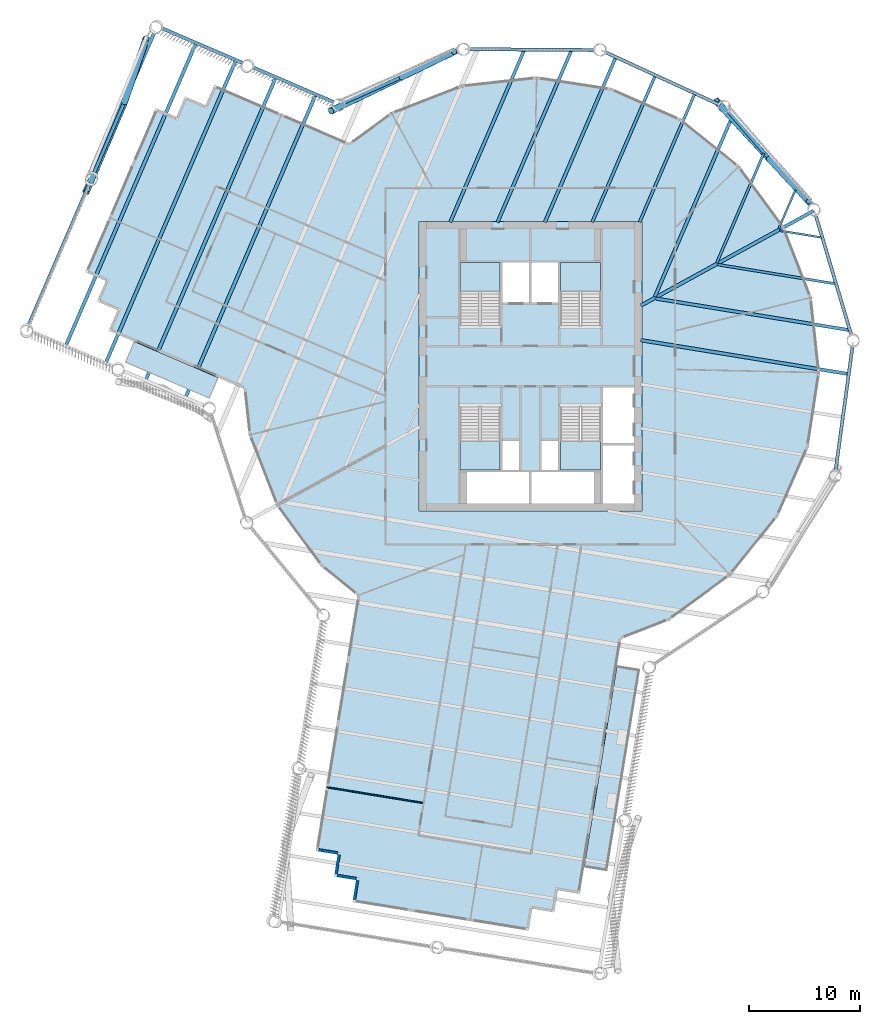
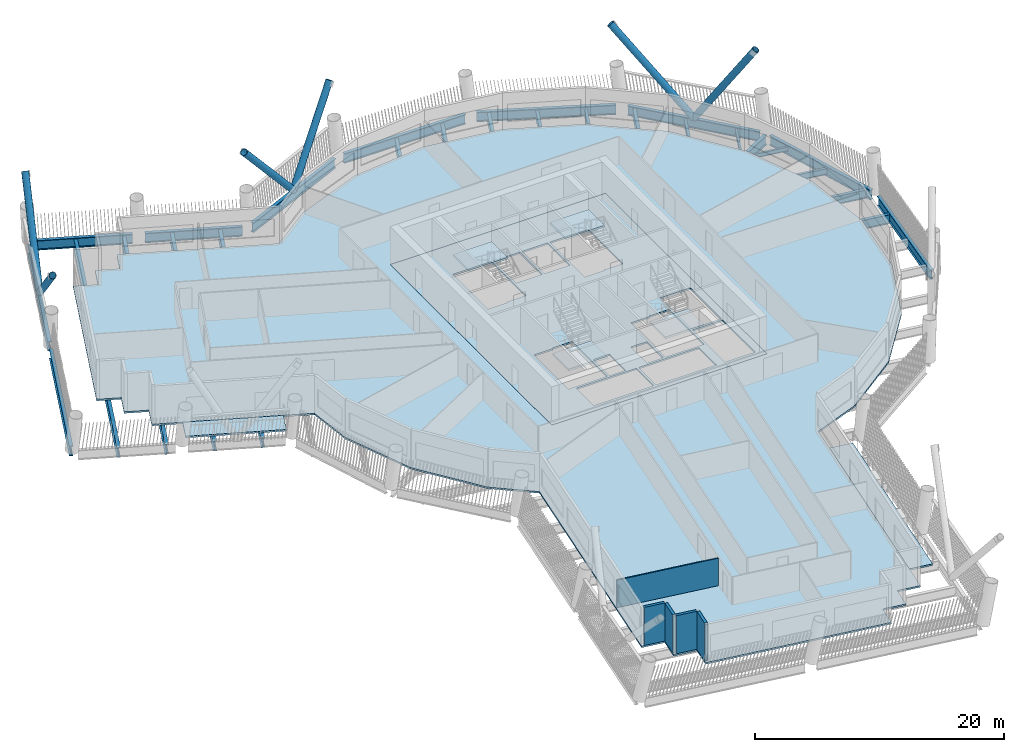
# One storey, part 2 of 22: 27 beams, 8 slabs, 6 members, 5 walls, 4 elements without a shape of their own.
"""IFC4 building model written with IfcOpenShell, lengths in metres."""

from ifc_helpers import new_model, si_unit, direction, frame, frame_2d, origin, origin_2d, place, context, subcontext, project, spatial, polyline, rectangle, hollow_circle, i_section, outline, extrude, material, layer, layer_set, material_profile, profile_set, type_object, element, aggregate, save


model = new_model("IFC4")

# Units and contexts
model_context = context("Model", 3, precision=1e-05, world=origin(), true_north=direction((0.0, 1.0)))
body_context = subcontext(model_context, "Body", "Model", "MODEL_VIEW")
ifc_project = project(units=[si_unit("LENGTHUNIT", "METRE"), si_unit("AREAUNIT", "SQUARE_METRE"), si_unit("VOLUMEUNIT", "CUBIC_METRE"), si_unit("PLANEANGLEUNIT", "RADIAN"), si_unit("MASSUNIT", "GRAM", prefix="KILO")], contexts=[model_context])

# Site, building, storey
site_placement = place(None, origin())
site = spatial("IfcSite", under=ifc_project, at=site_placement, CompositionType="ELEMENT")
building_placement = place(site_placement, origin())
building = spatial("IfcBuilding", under=site, at=building_placement, Name="Tarsis Ring Headquarters", CompositionType="ELEMENT")
storey_placement = place(building_placement, frame((0.0, 0.0, 186.60009765625)))
storey = spatial("IfcBuildingStorey", under=building, at=storey_placement, Name="L43", CompositionType="ELEMENT", Elevation=186.60009765625)

# Beams
ifc_material_1 = material(Name="Structural steel S355", Category="steel")
ifc_material_profile_1 = material_profile(ifc_material_1, i_section(OverallWidth=0.177734375, OverallDepth=0.406494140625, WebThickness=0.0078125, FlangeThickness=0.0126953125, at=origin_2d()), Name="W16x40")
ifc_profile_set_1 = profile_set([ifc_material_profile_1], Name="Structural steel S355")
beam_type_1 = type_object("IfcBeamType", Name="FB Floor beam W16x40", PredefinedType="JOIST", material=ifc_profile_set_1)
beam_1_placement = place(storey_placement, frame((22.366943359375, 12.1591796875, -0.36328125), z_axis=(0.986968671304, -0.160912528612, 0.0), x_axis=(0.160912528612, 0.986968671304, 0.0)))
element("IfcBeam", 1, at=beam_1_placement, inside=storey, type_object=beam_type_1, Name="Floor beam FB1", PredefinedType="JOIST", context=body_context, shape_type="SweptSolid", body=[
    extrude(i_section(OverallWidth=0.177734375, OverallDepth=0.406494140625, WebThickness=0.0078125, FlangeThickness=0.0126953125, at=origin_2d()), origin(), (0.0, 0.0, 1.0), 3.80517578125),
])
beam_2_placement = place(storey_placement, frame((23.77978515625, 15.819091796875, -0.36328125), z_axis=(-0.394886967502, -0.918729711557, 0.0), x_axis=(0.918729711557, -0.394886967502, 0.0)))
element("IfcBeam", 2, at=beam_2_placement, inside=storey, type_object=beam_type_1, Name="Floor beam FB1", PredefinedType="JOIST", context=body_context, shape_type="SweptSolid", body=[
    extrude(i_section(OverallWidth=0.177734375, OverallDepth=0.406494140625, WebThickness=0.0078125, FlangeThickness=0.0126953125, at=origin_2d()), origin(), (0.0, 0.0, 1.0), 3.805419921875),
])
ifc_material_profile_2 = material_profile(ifc_material_1, i_section(OverallWidth=0.228271484375, OverallDepth=0.607177734375, WebThickness=0.01123046875, FlangeThickness=0.017333984375, at=origin_2d()), Name="W24x76")
ifc_profile_set_2 = profile_set([ifc_material_profile_2], Name="Structural steel S355")
beam_type_2 = type_object("IfcBeamType", Name="FB Floor beam W24x76", PredefinedType="JOIST", material=ifc_profile_set_2)
for number, where, z_axis, x_axis, name in (
    (3, (16.8125, 9.11328125, -0.463623046875), (0.986970080516, -0.160903884871, 0.0), (0.160903884871, 0.986970080516, 0.0), "Floor beam FB4"),
    (4, (20.942138671875, 19.093505859375, -0.463623046875), (-0.394903560064, -0.91872257959, 0.0), (0.91872257959, -0.394903560064, 0.0), "Floor beam FB4"),
):
    element("IfcBeam", number, at=place(storey_placement, frame(where, z_axis=z_axis, x_axis=x_axis)), inside=storey, type_object=beam_type_2, Name=name, PredefinedType="JOIST", context=body_context, shape_type="SweptSolid", body=[
        extrude(i_section(OverallWidth=0.228271484375, OverallDepth=0.607177734375, WebThickness=0.01123046875, FlangeThickness=0.017333984375, at=origin_2d()), origin(), (0.0, 0.0, 1.0), 10.684814453125),
    ])
ifc_material_profile_3 = material_profile(ifc_material_1, i_section(OverallWidth=0.2529296875, OverallDepth=0.67822265625, WebThickness=0.01171875, FlangeThickness=0.016357421875, at=origin_2d()), Name="W27x84")
ifc_profile_set_3 = profile_set([ifc_material_profile_3], Name="Structural steel S355")
beam_type_3 = type_object("IfcBeamType", Name="FB Floor beam W27x84", PredefinedType="JOIST", material=ifc_profile_set_3)
beam_3_placement = place(storey_placement, frame((14.738525390625, 24.412841796875, -0.499267578125), z_axis=(-0.394897924831, -0.918725001817, 0.0), x_axis=(0.918725001817, -0.394897924831, 0.0)))
element("IfcBeam", 5, at=beam_3_placement, inside=storey, type_object=beam_type_3, Name="Floor beam FB5", PredefinedType="JOIST", context=body_context, shape_type="SweptSolid", body=[
    extrude(i_section(OverallWidth=0.2529296875, OverallDepth=0.67822265625, WebThickness=0.01171875, FlangeThickness=0.016357421875, at=origin_2d()), origin(), (0.0, 0.0, 1.0), 12.5224609375),
])
ifc_material_profile_4 = material_profile(ifc_material_1, i_section(OverallWidth=0.2666015625, OverallDepth=0.7568359375, WebThickness=0.013916015625, FlangeThickness=0.019287109375, at=origin_2d()), Name="W30x108")
ifc_profile_set_4 = profile_set([ifc_material_profile_4], Name="Structural steel S355")
beam_type_4 = type_object("IfcBeamType", Name="FB Floor beam W30x108", PredefinedType="JOIST", material=ifc_profile_set_4)
beam_4_placement = place(storey_placement, frame((11.195556640625, 26.0458984375, -0.53857421875), z_axis=(-0.394910173132, -0.918719737002, 0.0), x_axis=(0.918719737002, -0.394910173132, 0.0)))
element("IfcBeam", 6, at=beam_4_placement, inside=storey, type_object=beam_type_4, Name="Floor beam FB6", PredefinedType="JOIST", context=body_context, shape_type="SweptSolid", body=[
    extrude(i_section(OverallWidth=0.2666015625, OverallDepth=0.7568359375, WebThickness=0.013916015625, FlangeThickness=0.019287109375, at=origin_2d()), origin(), (0.0, 0.0, 1.0), 14.300048828125),
])
ifc_material_profile_5 = material_profile(ifc_material_1, i_section(OverallWidth=0.2919921875, OverallDepth=0.835693359375, WebThickness=0.013916015625, FlangeThickness=0.018798828125, at=origin_2d()), Name="W33x118")
ifc_profile_set_5 = profile_set([ifc_material_profile_5], Name="Structural steel S355")
beam_type_5 = type_object("IfcBeamType", Name="FB Floor beam W33x118", PredefinedType="JOIST", material=ifc_profile_set_5)
beam_5_placement = place(storey_placement, frame((11.25830078125, 6.0673828125, -0.577880859375), z_axis=(0.986969666062, -0.160906427073, 0.0), x_axis=(0.160906427073, 0.986969666062, 0.0)))
element("IfcBeam", 7, at=beam_5_placement, inside=storey, type_object=beam_type_5, Name="Floor beam FB7", PredefinedType="JOIST", context=body_context, shape_type="SweptSolid", body=[
    extrude(i_section(OverallWidth=0.2919921875, OverallDepth=0.835693359375, WebThickness=0.013916015625, FlangeThickness=0.018798828125, at=origin_2d()), origin(), (0.0, 0.0, 1.0), 17.56396484375),
])
beam_6_placement = place(storey_placement, frame((18.104736328125, 22.367919921875, -0.577880859375), z_axis=(-0.394907154867, -0.918721034392, 0.0), x_axis=(0.918721034392, -0.394907154867, 0.0)))
element("IfcBeam", 8, at=beam_6_placement, inside=storey, type_object=beam_type_5, Name="Floor beam FB7", PredefinedType="JOIST", context=body_context, shape_type="SweptSolid", body=[
    extrude(i_section(OverallWidth=0.2919921875, OverallDepth=0.835693359375, WebThickness=0.013916015625, FlangeThickness=0.018798828125, at=origin_2d()), origin(), (0.0, 0.0, 1.0), 17.564208984375),
])
beam_7_placement = place(storey_placement, frame((7.652587890625, 27.678955078125, -0.577880859375), z_axis=(-0.39490689599, -0.918721145669, 0.0), x_axis=(0.918721145669, -0.39490689599, 0.0)))
element("IfcBeam", 9, at=beam_7_placement, inside=storey, type_object=beam_type_5, Name="Floor beam FB7", PredefinedType="JOIST", context=body_context, shape_type="SweptSolid", body=[
    extrude(i_section(OverallWidth=0.2919921875, OverallDepth=0.835693359375, WebThickness=0.013916015625, FlangeThickness=0.018798828125, at=origin_2d()), origin(), (0.0, 0.0, 1.0), 16.077392578125),
])
beam_8_placement = place(storey_placement, frame((3.677734375, 28.3076171875, -0.577880859375), z_axis=(-0.394908756693, -0.918720345855, 0.0), x_axis=(0.918720345855, -0.394908756693, 0.0)))
element("IfcBeam", 10, at=beam_8_placement, inside=storey, type_object=beam_type_5, Name="Floor beam FB7", PredefinedType="JOIST", context=body_context, shape_type="SweptSolid", body=[
    extrude(i_section(OverallWidth=0.2919921875, OverallDepth=0.835693359375, WebThickness=0.013916015625, FlangeThickness=0.018798828125, at=origin_2d()), origin(), (0.0, 0.0, 1.0), 16.76171875),
])
beam_9_placement = place(storey_placement, frame((-0.554443359375, 28.33740234375, -0.577880859375), z_axis=(-0.394903342175, -0.918722673248, 0.0), x_axis=(0.918722673248, -0.394903342175, 0.0)))
element("IfcBeam", 11, at=beam_9_placement, inside=storey, type_object=beam_type_5, Name="Floor beam FB7", PredefinedType="JOIST", context=body_context, shape_type="SweptSolid", body=[
    extrude(i_section(OverallWidth=0.2919921875, OverallDepth=0.835693359375, WebThickness=0.013916015625, FlangeThickness=0.018798828125, at=origin_2d()), origin(), (0.0, 0.0, 1.0), 16.794189453125),
])
ifc_material_profile_6 = material_profile(ifc_material_1, i_section(OverallWidth=0.3046875, OverallDepth=0.904296875, WebThickness=0.01513671875, FlangeThickness=0.02001953125, at=origin_2d()), Name="W36x135")
ifc_profile_set_6 = profile_set([ifc_material_profile_6], Name="Structural steel S355")
beam_type_6 = type_object("IfcBeamType", Name="FB Floor beam W36x135", PredefinedType="JOIST", material=ifc_profile_set_6)
beam_10_placement = place(storey_placement, frame((9.9013671875, 2.337158203125, -0.6123046875), z_axis=(0.986968076882, -0.1609161745, 0.0), x_axis=(0.1609161745, 0.986968076882, 0.0)))
element("IfcBeam", 12, at=beam_10_placement, inside=storey, type_object=beam_type_6, Name="Floor beam FB8", PredefinedType="JOIST", context=body_context, shape_type="SweptSolid", body=[
    extrude(i_section(OverallWidth=0.3046875, OverallDepth=0.904296875, WebThickness=0.01513671875, FlangeThickness=0.02001953125, at=origin_2d()), origin(), (0.0, 0.0, 1.0), 18.8525390625),
])
ifc_material_profile_7 = material_profile(ifc_material_1, i_section(OverallWidth=0.309814453125, OverallDepth=0.949951171875, WebThickness=0.0244140625, FlangeThickness=0.0439453125, at=origin_2d()), Name="W36x256")
ifc_profile_set_7 = profile_set([ifc_material_profile_7], Name="Structural steel S355")
beam_type_7 = type_object("IfcBeamType", Name="FB Floor beam W36x256", PredefinedType="JOIST", material=ifc_profile_set_7)
beam_11_placement = place(storey_placement, frame((-19.25830078125, 24.327392578125, -0.635009765625), z_axis=(-0.394906244932, -0.918721425522, 0.0), x_axis=(0.918721425522, -0.394906244932, 0.0)))
element("IfcBeam", 13, at=beam_11_placement, inside=storey, type_object=beam_type_7, Name="Floor beam FB11", PredefinedType="JOIST", context=body_context, shape_type="SweptSolid", body=[
    extrude(i_section(OverallWidth=0.309814453125, OverallDepth=0.949951171875, WebThickness=0.0244140625, FlangeThickness=0.0439453125, at=origin_2d()), origin(), (0.0, 0.0, 1.0), 29.489990234375),
])
for number, where, z_axis, x_axis, name in (
    (14, (-22.84130859375, 25.86767578125, -0.635009765625), (-0.394903241337, -0.918722716592, 0.0), (0.918722716592, -0.394903241337, 0.0), "Floor beam FB11"),
    (15, (-26.42431640625, 27.40771484375, -0.635009765625), (-0.394903241337, -0.918722716592, 0.0), (0.918722716592, -0.394903241337, 0.0), "Floor beam FB11"),
):
    element("IfcBeam", number, at=place(storey_placement, frame(where, z_axis=z_axis, x_axis=x_axis)), inside=storey, type_object=beam_type_7, Name=name, PredefinedType="JOIST", context=body_context, shape_type="SweptSolid", body=[
        extrude(i_section(OverallWidth=0.309814453125, OverallDepth=0.949951171875, WebThickness=0.0244140625, FlangeThickness=0.0439453125, at=origin_2d()), origin(), (0.0, 0.0, 1.0), 29.490234375),
    ])
beam_12_placement = place(storey_placement, frame((-30.00732421875, 28.94775390625, -0.635009765625), z_axis=(-0.394906244932, -0.918721425522, 0.0), x_axis=(0.918721425522, -0.394906244932, 0.0)))
element("IfcBeam", 16, at=beam_12_placement, inside=storey, type_object=beam_type_7, Name="Floor beam FB11", PredefinedType="JOIST", context=body_context, shape_type="SweptSolid", body=[
    extrude(i_section(OverallWidth=0.309814453125, OverallDepth=0.949951171875, WebThickness=0.0244140625, FlangeThickness=0.0439453125, at=origin_2d()), origin(), (0.0, 0.0, 1.0), 29.489990234375),
])
beam_type_8 = type_object("IfcBeamType", Name="FB Floor beam W36x256 spine", PredefinedType="BEAM", material=ifc_profile_set_7)
beam_13_placement = place(storey_placement, frame((25.418701171875, 13.939453125, -0.635009765625), z_axis=(-0.876808090445, -0.480840485535, 0.0), x_axis=(0.480840485535, -0.876808090445, 0.0)))
element("IfcBeam", 17, at=beam_13_placement, inside=storey, type_object=beam_type_8, Name="Floor beam SB11", PredefinedType="BEAM", context=body_context, shape_type="SweptSolid", body=[
    extrude(i_section(OverallWidth=0.309814453125, OverallDepth=0.949951171875, WebThickness=0.0244140625, FlangeThickness=0.0439453125, at=origin_2d()), origin(), (0.0, 0.0, 1.0), 17.68505859375),
])

# Members
ifc_material_profile_8 = material_profile(ifc_material_1, hollow_circle(Radius=0.3046875, WallThickness=0.02490234375, at=origin_2d()), Name="CHS 610x25")
ifc_profile_set_8 = profile_set([ifc_material_profile_8], Name="Structural steel S355")
member_type = type_object("IfcMemberType", Name="XD X brace CHS 610x25", PredefinedType="BRACE", material=ifc_profile_set_8)
member_1_placement = place(storey_placement, frame((21.459228515625, 18.595947265625, 0.0), z_axis=(-0.454177229939, 0.493035699085, 0.742050431732), x_axis=(-0.735496485473, -0.677528538038, 0.0)))
element("IfcMember", 18, at=member_1_placement, inside=storey, type_object=member_type, Name="X brace XD1", PredefinedType="BRACE", context=body_context, shape_type="SweptSolid", body=[
    extrude(hollow_circle(Radius=0.3046875, WallThickness=0.02490234375, at=origin_2d()), origin(), (0.0, 0.0, 1.0), 10.51123046875),
])
member_2_placement = place(storey_placement, frame((21.459228515625, 18.595947265625, 0.0), z_axis=(0.37798861739, -0.406267457187, 0.831908263184), x_axis=(0.73212795981, 0.68116712374, 0.0)))
element("IfcMember", 19, at=member_2_placement, inside=storey, type_object=member_type, Name="X brace XD1", PredefinedType="BRACE", context=body_context, shape_type="SweptSolid", body=[
    extrude(hollow_circle(Radius=0.3046875, WallThickness=0.02490234375, at=origin_2d()), origin(), (0.0, 0.0, 1.0), 9.375732421875),
])
member_3_placement = place(storey_placement, frame((-11.521728515625, 25.952880859375, 0.0), z_axis=(-0.604152363754, -0.29045116715, 0.742049891093), x_axis=(0.43328631642, -0.90125632758, 0.0)))
element("IfcMember", 20, at=member_3_placement, inside=storey, type_object=member_type, Name="X brace XD1", PredefinedType="BRACE", context=body_context, shape_type="SweptSolid", body=[
    extrude(hollow_circle(Radius=0.3046875, WallThickness=0.02490234375, at=origin_2d()), origin(), (0.0, 0.0, 1.0), 10.51123046875),
])
member_4_placement = place(storey_placement, frame((-11.521728515625, 25.952880859375, 0.0), z_axis=(0.498912793243, 0.242946574163, 0.831903231657), x_axis=(-0.43780410855, 0.899070387977, 0.0)))
element("IfcMember", 21, at=member_4_placement, inside=storey, type_object=member_type, Name="X brace XD1", PredefinedType="BRACE", context=body_context, shape_type="SweptSolid", body=[
    extrude(hollow_circle(Radius=0.3046875, WallThickness=0.02490234375, at=origin_2d()), origin(), (0.0, 0.0, 1.0), 9.3759765625),
])
member_5_placement = place(storey_placement, frame((-36.39892578125, 23.700439453125, 0.0), z_axis=(-0.293606895071, -0.687915220966, 0.663752694857), x_axis=(0.91973163926, -0.392547719067, 0.0)))
element("IfcMember", 22, at=member_5_placement, inside=storey, type_object=member_type, Name="X brace XD1", PredefinedType="BRACE", context=body_context, shape_type="SweptSolid", body=[
    extrude(hollow_circle(Radius=0.3046875, WallThickness=0.02490234375, at=origin_2d()), origin(), (0.0, 0.0, 1.0), 11.7509765625),
])
member_6_placement = place(storey_placement, frame((-36.39892578125, 23.700439453125, 0.0), z_axis=(0.197904514126, 0.578078416746, 0.791618056503), x_axis=(-0.946093366141, 0.323894029806, 0.0)))
element("IfcMember", 23, at=member_6_placement, inside=storey, type_object=member_type, Name="X brace XD1", PredefinedType="BRACE", context=body_context, shape_type="SweptSolid", body=[
    extrude(hollow_circle(Radius=0.3046875, WallThickness=0.02490234375, at=origin_2d()), origin(), (0.0, 0.0, 1.0), 9.85302734375),
])

# Beams
beam_type_9 = type_object("IfcBeamType", Name="XG Ring girder W36x256", PredefinedType="BEAM", material=ifc_profile_set_7)
for number, where, z_axis, x_axis, name in (
    (24, (27.374267578125, -9.41064453125, -0.47509765625), (0.135262432928, 0.990809807298, 0.0), (-0.990809807298, 0.135262432928, 0.0), "Ring girder XG2"),
    (25, (28.819580078125, 2.70947265625, -0.47509765625), (-0.285161689806, 0.958479426314, 0.0), (-0.958479426314, -0.285161689806, 0.0), "Ring girder XG2"),
    (26, (25.140625, 14.34765625, -0.47509765625), (-0.654884241018, 0.755729204719, 0.0), (-0.755729204719, -0.654884241018, 0.0), "Ring girder XG2"),
):
    element("IfcBeam", number, at=place(storey_placement, frame(where, z_axis=z_axis, x_axis=x_axis)), inside=storey, type_object=beam_type_9, Name=name, PredefinedType="BEAM", context=body_context, shape_type="SweptSolid", body=[
        extrude(i_section(OverallWidth=0.309814453125, OverallDepth=0.949951171875, WebThickness=0.0244140625, FlangeThickness=0.0439453125, at=origin_2d()), origin(), (0.0, 0.0, 1.0), 11.242919921875),
    ])
beam_14_placement = place(storey_placement, frame((16.99169921875, 23.434814453125, -0.47509765625), z_axis=(-0.908173446893, 0.41859406393, 0.0), x_axis=(-0.41859406393, -0.908173446893, 0.0)))
element("IfcBeam", 27, at=beam_14_placement, inside=storey, type_object=beam_type_9, Name="Ring girder XG2", PredefinedType="BEAM", context=body_context, shape_type="SweptSolid", body=[
    extrude(i_section(OverallWidth=0.309814453125, OverallDepth=0.949951171875, WebThickness=0.0244140625, FlangeThickness=0.0439453125, at=origin_2d()), origin(), (0.0, 0.0, 1.0), 11.2431640625),
])
for number, where, z_axis, x_axis, name in (
    (28, (5.821533203125, 28.355224609375, -0.47509765625), (-0.999975096452, 0.007057370388, 0.0), (-0.007057370388, -0.999975096452, 0.0), "Ring girder XG2"),
    (29, (-6.3837890625, 28.23388671875, -0.47509765625), (-0.913978026915, -0.405763682845, 0.0), (0.405763682845, -0.913978026915, 0.0), "Ring girder XG2"),
):
    element("IfcBeam", number, at=place(storey_placement, frame(where, z_axis=z_axis, x_axis=x_axis)), inside=storey, type_object=beam_type_9, Name=name, PredefinedType="BEAM", context=body_context, shape_type="SweptSolid", body=[
        extrude(i_section(OverallWidth=0.309814453125, OverallDepth=0.949951171875, WebThickness=0.0244140625, FlangeThickness=0.0439453125, at=origin_2d()), origin(), (0.0, 0.0, 1.0), 11.242919921875),
    ])
for number, where, z_axis, x_axis, name in (
    (30, (-17.581298828125, 23.66650390625, -0.47509765625), (-0.918719109347, 0.394911633306, 0.0), (-0.394911633306, -0.918719109347, 0.0), "Ring girder XG2"),
    (31, (-25.760009765625, 27.18212890625, -0.47509765625), (-0.918730326448, 0.394885536914, 0.0), (-0.394885536914, -0.918730326448, 0.0), "Ring girder XG2"),
):
    element("IfcBeam", number, at=place(storey_placement, frame(where, z_axis=z_axis, x_axis=x_axis)), inside=storey, type_object=beam_type_9, Name=name, PredefinedType="BEAM", context=body_context, shape_type="SweptSolid", body=[
        extrude(i_section(OverallWidth=0.309814453125, OverallDepth=0.949951171875, WebThickness=0.0244140625, FlangeThickness=0.0439453125, at=origin_2d()), origin(), (0.0, 0.0, 1.0), 7.896484375),
    ])
for number, where, z_axis, x_axis, name in (
    (32, (-33.67529296875, 30.036865234375, -0.47509765625), (-0.394916615885, -0.918716967568, 0.0), (0.918716967568, -0.394916615885, 0.0), "Ring girder XG2"),
    (33, (-39.52001953125, 16.43994140625, -0.47509765625), (-0.394895255869, -0.918726149019, 0.0), (0.918726149019, -0.394895255869, 0.0), "Ring girder XG2"),
):
    element("IfcBeam", number, at=place(storey_placement, frame(where, z_axis=z_axis, x_axis=x_axis)), inside=storey, type_object=beam_type_9, Name=name, PredefinedType="BEAM", context=body_context, shape_type="SweptSolid", body=[
        extrude(i_section(OverallWidth=0.309814453125, OverallDepth=0.949951171875, WebThickness=0.0244140625, FlangeThickness=0.0439453125, at=origin_2d()), origin(), (0.0, 0.0, 1.0), 13.794189453125),
    ])

# Slabs
ifc_material_2 = material(Name="Concrete C40/50", Category="concrete")
ifc_layer_1 = layer(ifc_material_2, 0.159912109375)
ifc_layer_set_1 = layer_set([ifc_layer_1], Name="Balcony slab concrete C40/50")
slab_type_1 = type_object("IfcSlabType", Name="Balcony slab concrete C40/50", PredefinedType="FLOOR", material=ifc_layer_set_1)
slab_1_placement = place(storey_placement, frame((0.0, 0.0, -0.16015625)))
element("IfcSlab", 34, at=slab_1_placement, inside=storey, type_object=slab_type_1, Name="Balcony slab L43-01", PredefinedType="FLOOR", context=body_context, shape_type="SweptSolid", body=[
    extrude(outline(polyline([(-35.51611328125, 2.20458984375), (-36.305908203125, 0.3671875), (-28.798095703125, -2.85986328125), (-28.00830078125, -1.0224609375), (-35.51611328125, 2.20458984375)])), origin(), (0.0, 0.0, 1.0), 0.16015625),
])
slab_2_placement = place(storey_placement, frame((0.0, 0.0, -0.16015625)))
element("IfcSlab", 35, at=slab_2_placement, inside=storey, type_object=slab_type_1, Name="Balcony slab L43-16", PredefinedType="FLOOR", context=body_context, shape_type="SweptSolid", body=[
    extrude(outline(polyline([(4.84375, -44.864013671875), (6.81787109375, -45.18603515625), (9.738525390625, -27.271240234375), (7.7646484375, -26.949462890625), (4.84375, -44.864013671875)])), origin(), (0.0, 0.0, 1.0), 0.16015625),
])
ifc_layer_2 = layer(ifc_material_2, 0.159912109375)
ifc_layer_set_2 = layer_set([ifc_layer_2], Name="Core floor slab 160 C40/50")
slab_type_2 = type_object("IfcSlabType", Name="Core floor slab 160 C40/50", PredefinedType="FLOOR", material=ifc_layer_set_2)
slab_3_placement = place(storey_placement, frame((0.0, 0.0, -0.16015625)))
element("IfcSlab", 36, at=slab_3_placement, inside=storey, type_object=slab_type_2, Name="L43 core floor slab", PredefinedType="FLOOR", context=body_context, shape_type="SweptSolid", body=[
    extrude(outline(polyline([(-10.0, -13.0), (10.0, -13.0), (10.0, 13.0), (-10.0, 13.0), (-10.0, -13.0)]), holes=[polyline([(-2.5, 5.699951171875), (-0.10009765625, 5.699951171875), (-0.10009765625, 9.300048828125), (-2.5, 9.300048828125), (-2.5, 5.699951171875)]), polyline([(0.10009765625, 5.699951171875), (2.5, 5.699951171875), (2.5, 9.300048828125), (0.10009765625, 9.300048828125), (0.10009765625, 5.699951171875)]), polyline([(6.5, -12.300048828125), (9.300048828125, -12.300048828125), (9.300048828125, -7.10009765625), (6.5, -7.10009765625), (6.5, -12.300048828125)]), polyline([(6.5, -6.89990234375), (9.300048828125, -6.89990234375), (9.300048828125, -1.89990234375), (6.5, -1.89990234375), (6.5, -6.89990234375)]), polyline([(-5.699951171875, -12.300048828125), (-0.10009765625, -12.300048828125), (-0.10009765625, -9.5), (-5.699951171875, -9.5), (-5.699951171875, -12.300048828125)]), polyline([(0.10009765625, -12.300048828125), (5.699951171875, -12.300048828125), (5.699951171875, -9.5), (0.10009765625, -9.5), (0.10009765625, -12.300048828125)]), polyline([(-2.5, -9.300048828125), (-1.0, -9.300048828125), (-1.0, -6.699951171875), (-2.5, -6.699951171875), (-2.5, -9.300048828125)]), polyline([(1.0, -9.300048828125), (2.5, -9.300048828125), (2.5, -6.699951171875), (1.0, -6.699951171875), (1.0, -9.300048828125)]), polyline([(-2.699951171875, 3.760009765625), (-2.699951171875, 9.300048828125), (-6.300048828125, 9.300048828125), (-6.300048828125, 3.659912109375), (-4.4599609375, 3.659912109375), (-4.4599609375, 3.760009765625), (-2.699951171875, 3.760009765625)]), polyline([(6.300048828125, 3.760009765625), (6.300048828125, 9.300048828125), (2.699951171875, 9.300048828125), (2.699951171875, 3.659912109375), (4.5400390625, 3.659912109375), (4.5400390625, 3.760009765625), (6.300048828125, 3.760009765625)]), polyline([(-6.300048828125, -3.760009765625), (-6.300048828125, -9.300048828125), (-2.699951171875, -9.300048828125), (-2.699951171875, -3.659912109375), (-4.5400390625, -3.659912109375), (-4.5400390625, -3.760009765625), (-6.300048828125, -3.760009765625)]), polyline([(2.699951171875, -3.760009765625), (2.699951171875, -9.300048828125), (6.300048828125, -9.300048828125), (6.300048828125, -3.659912109375), (4.4599609375, -3.659912109375), (4.4599609375, -3.760009765625), (2.699951171875, -3.760009765625)])]), origin(), (0.0, 0.0, 1.0), 0.16015625),
])

# Stair, slab
ifc_material_3 = material(Name="Core stair 1760")
stair_type = type_object("IfcStairType", Name="Core stair 1760", PredefinedType="HALF_TURN_STAIR", material=ifc_material_3)
stair_1_placement = place(storey_placement, origin())
stair_1 = element("IfcStair", 37, at=stair_1_placement, inside=storey, type_object=stair_type, Name="L43 Firefighting stair", PredefinedType="HALF_TURN_STAIR")
ifc_layer_3 = layer(ifc_material_2, 0.199951171875)
ifc_layer_set_3 = layer_set([ifc_layer_3], Name="Core stair landing 200")
slab_type_3 = type_object("IfcSlabType", Name="Core stair landing 200", PredefinedType="LANDING", material=ifc_layer_set_3)
slab_4_placement = place(storey_placement, frame((0.0, 0.0, 1.75)))
slab_4 = element("IfcSlab", 38, at=slab_4_placement, type_object=slab_type_3, Name="Stair ST1 landing 1", PredefinedType="LANDING", context=body_context, shape_type="SweptSolid", body=[
    extrude(outline(polyline([(-2.699951171875, 6.739990234375), (-2.699951171875, 9.300048828125), (-6.300048828125, 9.300048828125), (-6.300048828125, 6.739990234375), (-2.699951171875, 6.739990234375)])), origin(), (0.0, 0.0, 1.0), 0.199951171875),
])
aggregate(stair_1, [slab_4])

stair_2_placement = place(storey_placement, origin())
stair_2 = element("IfcStair", 39, at=stair_2_placement, inside=storey, type_object=stair_type, Name="L43 Exit stair B", PredefinedType="HALF_TURN_STAIR")
slab_5_placement = place(storey_placement, frame((0.0, 0.0, 1.75)))
slab_5 = element("IfcSlab", 40, at=slab_5_placement, type_object=slab_type_3, Name="Stair ST2 landing 1", PredefinedType="LANDING", context=body_context, shape_type="SweptSolid", body=[
    extrude(outline(polyline([(6.300048828125, 6.739990234375), (6.300048828125, 9.300048828125), (2.699951171875, 9.300048828125), (2.699951171875, 6.739990234375), (6.300048828125, 6.739990234375)])), origin(), (0.0, 0.0, 1.0), 0.199951171875),
])
aggregate(stair_2, [slab_5])

stair_3_placement = place(storey_placement, origin())
stair_3 = element("IfcStair", 41, at=stair_3_placement, inside=storey, type_object=stair_type, Name="L43 Exit stair C", PredefinedType="HALF_TURN_STAIR")
slab_6_placement = place(storey_placement, frame((0.0, 0.0, 1.75)))
slab_6 = element("IfcSlab", 42, at=slab_6_placement, type_object=slab_type_3, Name="Stair ST3 landing 1", PredefinedType="LANDING", context=body_context, shape_type="SweptSolid", body=[
    extrude(outline(polyline([(-6.300048828125, -6.739990234375), (-6.300048828125, -9.300048828125), (-2.699951171875, -9.300048828125), (-2.699951171875, -6.739990234375), (-6.300048828125, -6.739990234375)])), origin(), (0.0, 0.0, 1.0), 0.199951171875),
])
aggregate(stair_3, [slab_6])

stair_4_placement = place(storey_placement, origin())
stair_4 = element("IfcStair", 43, at=stair_4_placement, inside=storey, type_object=stair_type, Name="L43 Exit stair D", PredefinedType="HALF_TURN_STAIR")
slab_7_placement = place(storey_placement, frame((0.0, 0.0, 1.75)))
slab_7 = element("IfcSlab", 44, at=slab_7_placement, type_object=slab_type_3, Name="Stair ST4 landing 1", PredefinedType="LANDING", context=body_context, shape_type="SweptSolid", body=[
    extrude(outline(polyline([(2.699951171875, -6.739990234375), (2.699951171875, -9.300048828125), (6.300048828125, -9.300048828125), (6.300048828125, -6.739990234375), (2.699951171875, -6.739990234375)])), origin(), (0.0, 0.0, 1.0), 0.199951171875),
])
aggregate(stair_4, [slab_7])

# Slab
ifc_material_4 = material(Name="Concrete C35/45", Category="concrete")
ifc_layer_4 = layer(ifc_material_4, 0.159912109375)
ifc_layer_set_4 = layer_set([ifc_layer_4], Name="FS Composite floor slab 160")
slab_type_4 = type_object("IfcSlabType", Name="FS Composite floor slab 160", PredefinedType="FLOOR", material=ifc_layer_set_4)
slab_8_placement = place(storey_placement, frame((0.0, 0.0, -0.16015625)))
element("IfcSlab", 45, at=slab_8_placement, inside=storey, type_object=slab_type_4, Name="Floor slab L43", PredefinedType="FLOOR", context=body_context, shape_type="SweptSolid", body=[
    extrude(outline(polyline([(-25.71142578125, -2.009765625), (-25.255859375, -6.175537109375), (-22.797119140625, -12.501708984375), (-18.78466796875, -17.97607421875), (-15.51708984375, -20.599609375), (-19.24560546875, -43.469482421875), (-17.271728515625, -43.79150390625), (-17.593505859375, -45.765380859375), (-15.61962890625, -46.087158203125), (-15.94140625, -48.06103515625), (-0.14990234375, -50.6357421875), (0.171875, -48.661865234375), (2.145751953125, -48.983642578125), (2.467529296875, -47.009765625), (4.441650390625, -47.33154296875), (8.1669921875, -24.48193359375), (12.501708984375, -22.797119140625), (17.97607421875, -18.78466796875), (22.225341796875, -13.491943359375), (24.9599609375, -7.280029296875), (25.99365234375, -0.57177734375), (25.255859375, 6.175537109375), (22.797119140625, 12.501708984375), (18.78466796875, 17.97607421875), (13.491943359375, 22.225341796875), (7.280029296875, 24.9599609375), (0.57177734375, 25.99365234375), (-6.175537109375, 25.255859375), (-12.501708984375, 22.797119140625), (-16.252685546875, 20.047607421875), (-28.335205078125, 25.2412109375), (-29.125, 23.40380859375), (-30.96240234375, 24.193603515625), (-31.752197265625, 22.356201171875), (-33.589599609375, 23.14599609375), (-39.908203125, 8.4462890625), (-38.07080078125, 7.656494140625), (-38.860595703125, 5.819091796875), (-37.02294921875, 5.029296875), (-37.812744140625, 3.19189453125), (-25.71142578125, -2.009765625)]), holes=[polyline([(-10.0, -13.0), (-10.0, 13.0), (10.0, 13.0), (10.0, -13.0), (-10.0, -13.0)])]), origin(), (0.0, 0.0, 1.0), 0.16015625),
])

# Walls
ifc_material_5 = material(Name="Gypsum board on steel studs", Category="steel")
ifc_layer_5 = layer(ifc_material_5, 0.10009765625)
ifc_layer_set_5 = layer_set([ifc_layer_5], Name="FL partition 100 unrated")
wall_type_1 = type_object("IfcWallType", Name="FL partition 100 unrated", PredefinedType="PARTITIONING", material=ifc_layer_set_5)
wall_1_placement = place(storey_placement, frame((-18.2646484375, -37.76318359375, 0.0), z_axis=(0.0, 0.0, 1.0), x_axis=(0.986970567723, -0.160900896357, 0.0)))
element("IfcWall", 46, at=wall_1_placement, inside=storey, type_object=wall_type_1, Name="Partition PW3", PredefinedType="PARTITIONING", context=body_context, shape_type="SweptSolid", body=[
    extrude(rectangle(XDim=8.73974609375, YDim=0.10009765625, at=frame_2d((4.369873046875, 0.0))), origin(), (0.0, 0.0, 1.0), 2.699951171875),
])
ifc_material_6 = material(Name="Terracotta clad insulated panel wall", Category="masonry")
ifc_layer_6 = layer(ifc_material_6, 0.25)
ifc_layer_set_6 = layer_set([ifc_layer_6], Name="Facade wall terracotta panel 250")
wall_type_2 = type_object("IfcWallType", Name="Facade wall terracotta panel 250", PredefinedType="STANDARD", material=ifc_layer_set_6)
wall_2_placement = place(storey_placement, frame((-18.978759765625, -43.386474609375, 0.0), z_axis=(0.0, 0.0, 1.0), x_axis=(0.98697586241, -0.160868415233, 0.0)))
element("IfcWall", 47, at=wall_2_placement, inside=storey, type_object=wall_type_2, Name="External wall L43-07", PredefinedType="STANDARD", context=body_context, shape_type="SweptSolid", body=[
    extrude(rectangle(XDim=1.749755859375, YDim=0.25, at=frame_2d((0.875, 0.0))), origin(), (0.0, 0.0, 1.0), 3.739990234375),
])
for number, where, z_axis, x_axis, name in (
    (48, (-17.1484375, -43.8115234375, 0.0), (0.0, 0.0, 1.0), (-0.160846265944, -0.986979472295, 0.0), "External wall L43-08"),
    (49, (-17.32666015625, -45.68212890625, 0.0), (0.0, 0.0, 1.0), (0.986953701252, -0.161004321635, 0.0), "External wall L43-09"),
    (50, (-15.496337890625, -46.107177734375, 0.0), (0.0, 0.0, 1.0), (-0.160846265944, -0.986979472295, 0.0), "External wall L43-10"),
):
    element("IfcWall", number, at=place(storey_placement, frame(where, z_axis=z_axis, x_axis=x_axis)), inside=storey, type_object=wall_type_2, Name=name, PredefinedType="STANDARD", context=body_context, shape_type="SweptSolid", body=[
        extrude(rectangle(XDim=1.75, YDim=0.25, at=frame_2d((0.875, 0.0))), origin(), (0.0, 0.0, 1.0), 3.739990234375),
    ])

save(model, "model.ifc")
